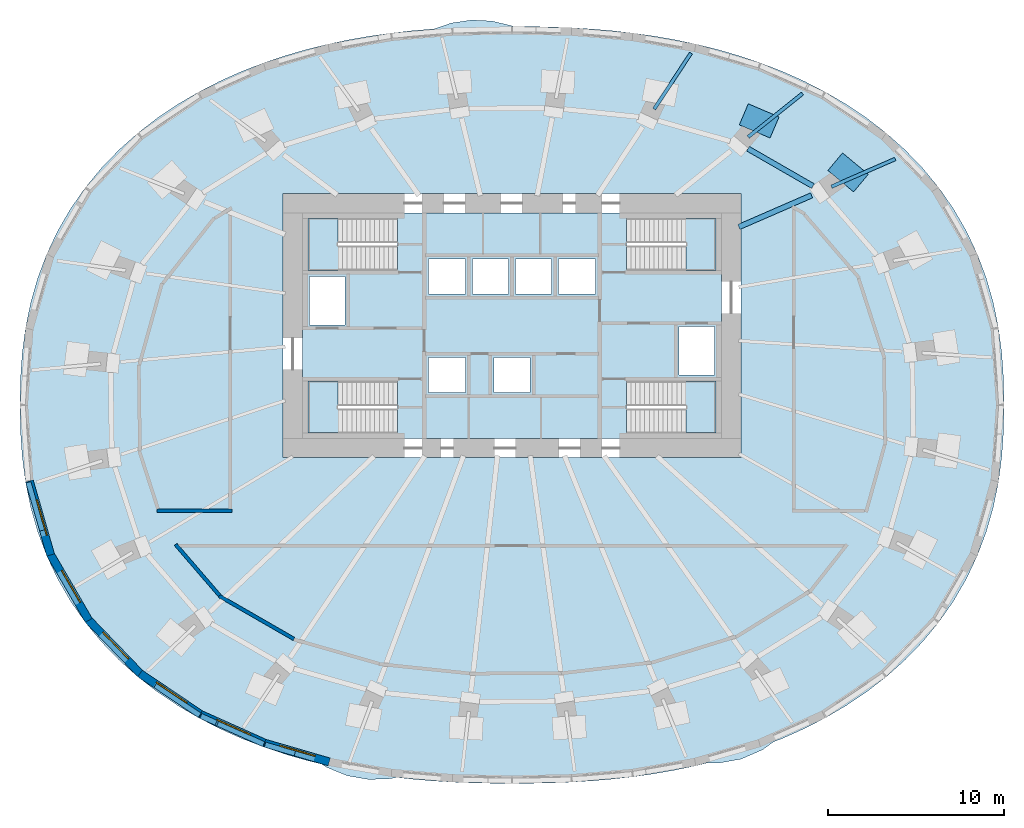
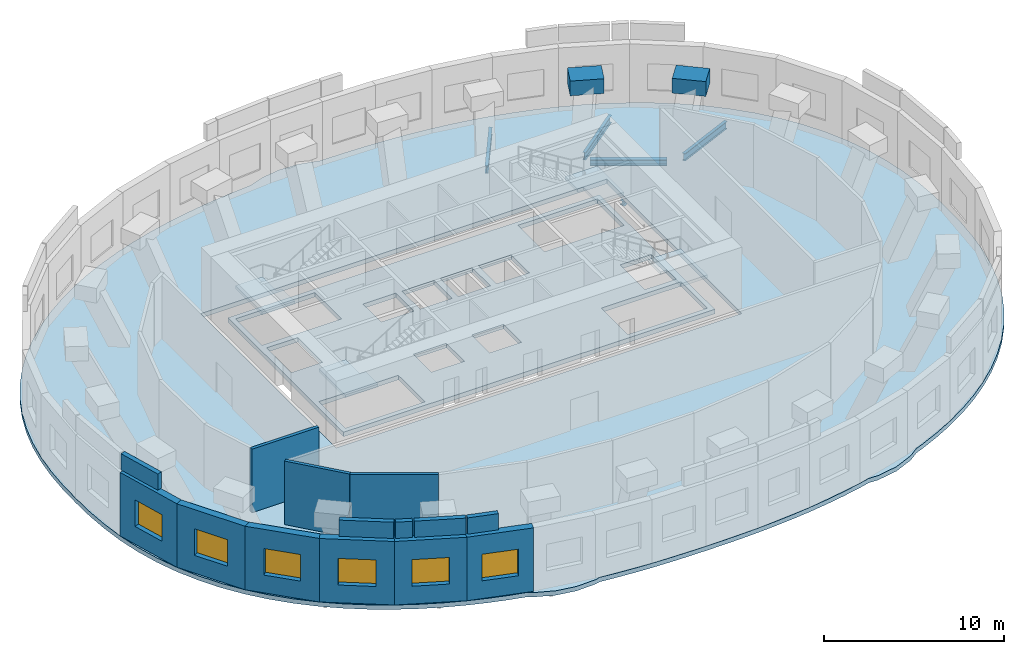
# One storey, part 3 of 9: 14 walls, 7 beams, 6 slabs, 6 windows, 6 openings, 4 elements without a shape of their own.
"""IFC4 building model written with IfcOpenShell, lengths in metres."""

import ifcopenshell
import ifcopenshell.guid

model = None  # the IFC model being written
_history = None  # IfcOwnerHistory: only IFC2X3 demands one
_inside = {}  # id of a spatial element -> (the spatial element, [elements in it])
_under = {}  # id of a project, library or spatial element -> (it, [spatial elements below it])
_declared = {}  # id of a project -> (the project, [libraries it declares])
_typed = {}  # id of a type object -> (the type object, [elements of that type])
_made_of = {}  # id of a material, layer set ... -> (it, [elements and type objects made of it])


def new_model(schema):
    """Start an empty IFC model of exactly this schema.

    Asked for "IFC4X3", IfcOpenShell would pick the latest addendum, in which some entities
    have other attributes; the version numbers below select the first issue.
    IFC2X3 requires an IfcOwnerHistory on every rooted entity: one is made here for all.
    """
    global model, _history
    if schema == "IFC4X3":
        model = ifcopenshell.file(schema_version=(4, 3, 0, 0))
    else:
        model = ifcopenshell.file(schema=schema)
    _inside.clear()
    _under.clear()
    _declared.clear()
    _typed.clear()
    _made_of.clear()
    _history = None
    if model.schema == "IFC2X3":
        org = make("IfcOrganization", Name="unknown")
        user = make(
            "IfcPersonAndOrganization",
            ThePerson=make("IfcPerson", FamilyName="unknown"),
            TheOrganization=org,
        )
        app = make(
            "IfcApplication",
            ApplicationDeveloper=org,
            Version="unknown",
            ApplicationFullName="unknown",
            ApplicationIdentifier="unknown",
        )
        _history = make(
            "IfcOwnerHistory",
            OwningUser=user,
            OwningApplication=app,
            ChangeAction="ADDED",
            CreationDate=0,
        )
    return model


def make(cls, **values):
    """One entity of the class cls with the attributes given. An attribute that is None is left unset."""
    return model.create_entity(
        cls, **{name: value for name, value in values.items() if value is not None}
    )


def rooted(cls, **values):
    """An entity with a GlobalId (a new one), such as an element, a storey or a relation."""
    return make(cls, GlobalId=ifcopenshell.guid.new(), OwnerHistory=_history, **values)


def si_unit(unit_type, name, prefix=None):
    """IfcSIUnit, for example si_unit("LENGTHUNIT", "METRE", prefix="MILLI")."""
    return make("IfcSIUnit", UnitType=unit_type, Prefix=prefix, Name=name)


def assignment(units):
    """IfcUnitAssignment: the units of a project."""
    return None if units is None else make("IfcUnitAssignment", Units=units)


def point(xyz):
    """IfcCartesianPoint."""
    return None if xyz is None else make("IfcCartesianPoint", Coordinates=xyz)


def direction(xyz):
    """IfcDirection."""
    return None if xyz is None else make("IfcDirection", DirectionRatios=xyz)


def frame(location, z_axis=None, x_axis=None):
    """IfcAxis2Placement3D, a coordinate frame: its origin and axes. An axis left out is left unset."""
    return make(
        "IfcAxis2Placement3D",
        Location=point(location),
        Axis=direction(z_axis),
        RefDirection=direction(x_axis),
    )


def frame_2d(location, x_axis=None):
    """IfcAxis2Placement2D, a coordinate frame in the plane: its origin and x axis."""
    return make(
        "IfcAxis2Placement2D", Location=point(location), RefDirection=direction(x_axis)
    )


def origin():
    """The frame at (0, 0, 0) with its axes left unset."""
    return frame((0.0, 0.0, 0.0))


def origin_2d():
    """The frame at (0, 0) in the plane with its x axis left unset."""
    return frame_2d((0.0, 0.0))


def place(relative_to, where):
    """IfcLocalPlacement: puts the frame where relative to a parent placement (None: the world)."""
    return make(
        "IfcLocalPlacement", PlacementRelTo=relative_to, RelativePlacement=where
    )


def context(
    kind, dimensions, precision=None, world=None, true_north=None, identifier=None
):
    """IfcGeometricRepresentationContext, for example the 3D "Model" context."""
    return make(
        "IfcGeometricRepresentationContext",
        ContextIdentifier=identifier,
        ContextType=kind,
        CoordinateSpaceDimension=dimensions,
        Precision=precision,
        WorldCoordinateSystem=world,
        TrueNorth=true_north,
    )


def subcontext(parent, identifier, kind, view, scale=None):
    """IfcGeometricRepresentationSubContext, for example "Body" below "Model"."""
    return make(
        "IfcGeometricRepresentationSubContext",
        ContextIdentifier=identifier,
        ContextType=kind,
        ParentContext=parent,
        TargetScale=scale,
        TargetView=view,
    )


def project(units=None, contexts=None):
    """IfcProject with its units and contexts."""
    return rooted(
        "IfcProject",
        Name="project",
        RepresentationContexts=contexts,
        UnitsInContext=assignment(units),
    )


def spatial(cls, under=None, at=None, **own):
    """A site, building, storey or space (cls), placed at a placement, below another one or the project."""
    s = rooted(cls, ObjectPlacement=at, **own)
    if under is not None:
        _under.setdefault(under.id(), (under, []))[1].append(s)
    return s


def polyline(points):
    """IfcPolyline through the points."""
    return make("IfcPolyline", Points=[point(p) for p in points])


def profile(cls, at=None, kind="AREA", **sizes):
    """A parametric profile (cls). Its sizes go by their IFC names, for example OverallWidth=200.0."""
    return make(cls, ProfileType=kind, Position=at, **sizes)


def rectangle(**sizes):
    """IfcRectangleProfileDef."""
    return profile("IfcRectangleProfileDef", **sizes)


def i_section(**sizes):
    """IfcIShapeProfileDef."""
    return profile("IfcIShapeProfileDef", **sizes)


def outline(outer, holes=None, kind="AREA"):
    """IfcArbitraryClosedProfileDef: a profile drawn as a closed curve; with holes, ...WithVoids."""
    if holes is None:
        return make("IfcArbitraryClosedProfileDef", ProfileType=kind, OuterCurve=outer)
    return make(
        "IfcArbitraryProfileDefWithVoids",
        ProfileType=kind,
        OuterCurve=outer,
        InnerCurves=holes,
    )


def extrude(swept, where, along, depth):
    """IfcExtrudedAreaSolid: the profile swept, set in the frame where, extruded along a direction by depth."""
    return make(
        "IfcExtrudedAreaSolid",
        SweptArea=swept,
        Position=where,
        ExtrudedDirection=direction(along),
        Depth=depth,
    )


def shape(context_of_items, identifier, shape_type, items):
    """IfcShapeRepresentation: the items that make up one representation, for example the "Body"."""
    return make(
        "IfcShapeRepresentation",
        ContextOfItems=context_of_items,
        RepresentationIdentifier=identifier,
        RepresentationType=shape_type,
        Items=items,
    )


def material(Name=None, Category=None):
    """IfcMaterial."""
    return make("IfcMaterial", Name=Name, Category=Category)


def layer(
    of_material, thickness, ventilated=None, Name=None, Category=None, Priority=None
):
    """IfcMaterialLayer: one layer of a wall or slab, of a material (None: an air gap)."""
    return make(
        "IfcMaterialLayer",
        Material=of_material,
        LayerThickness=thickness,
        IsVentilated=ventilated,
        Name=Name,
        Category=Category,
        Priority=Priority,
    )


def layer_set(layers, Name=None):
    """IfcMaterialLayerSet."""
    return make("IfcMaterialLayerSet", MaterialLayers=layers, LayerSetName=Name)


def material_profile(
    of_material, cross_section, Name=None, Category=None, Priority=None
):
    """IfcMaterialProfile: a cross section and its material."""
    return make(
        "IfcMaterialProfile",
        Name=Name,
        Material=of_material,
        Profile=cross_section,
        Priority=Priority,
        Category=Category,
    )


def profile_set(profiles, Name=None, composite=None):
    """IfcMaterialProfileSet."""
    return make(
        "IfcMaterialProfileSet",
        Name=Name,
        MaterialProfiles=profiles,
        CompositeProfile=composite,
    )


def made_of(thing, what):
    """Note that an element or type object is made of a material, layer set ...; save() writes the relation."""
    if what is not None:
        _made_of.setdefault(what.id(), (what, []))[1].append(thing)
    return thing


def type_object(cls, material=None, **own):
    """A type object (cls), such as IfcWallType, which elements share."""
    return made_of(rooted(cls, **own), material)


def element(
    cls,
    number,
    at=None,
    inside=None,
    cuts=None,
    type_object=None,
    material=None,
    context=None,
    identifier="Body",
    shape_type=None,
    held_by="IfcProductDefinitionShape",
    body=None,
    shapes=None,
    **own,
):
    """One element of the class cls, such as IfcWall. Its Tag is "e" and its number.

    at: its placement. inside: the storey or other place that contains it. cuts: it is an
    opening in that element (IfcRelVoidsElement). A single representation is given by context,
    identifier, shape_type and body (its items); several are given by shapes. held_by: the class
    of the entity that holds the representations. save() writes the other relations.
    """
    e = rooted(cls, Tag="e%d" % number, ObjectPlacement=at, **own)
    if body is not None:
        shapes = [shape(context, identifier, shape_type, body)]
    if shapes is not None:
        e.Representation = make(held_by, Representations=shapes)
    if inside is not None:
        _inside.setdefault(inside.id(), (inside, []))[1].append(e)
    if cuts is not None:
        rooted(
            "IfcRelVoidsElement", RelatingBuildingElement=cuts, RelatedOpeningElement=e
        )
    if type_object is not None:
        _typed.setdefault(type_object.id(), (type_object, []))[1].append(e)
    return made_of(e, material)


def fill(opening, filler):
    """IfcRelFillsElement: the door or window that sits in an opening."""
    return rooted(
        "IfcRelFillsElement",
        RelatingOpeningElement=opening,
        RelatedBuildingElement=filler,
    )


def aggregate(whole, parts):
    """IfcRelAggregates: a whole, such as a stair, and the parts it consists of."""
    return rooted("IfcRelAggregates", RelatingObject=whole, RelatedObjects=parts)


def save(model, path):
    """Write the relations noted so far, then the file.

    IfcRelAggregates (storeys below a building ...), IfcRelContainedInSpatialStructure (elements
    in a storey), IfcRelDefinesByType, IfcRelAssociatesMaterial and IfcRelDeclares: one each for
    every whole, place, type object, material and project.
    """
    for whole, parts in _under.values():
        aggregate(whole, parts)
    for where, things in _inside.values():
        rooted(
            "IfcRelContainedInSpatialStructure",
            RelatedElements=things,
            RelatingStructure=where,
        )
    for kind, things in _typed.values():
        rooted("IfcRelDefinesByType", RelatedObjects=things, RelatingType=kind)
    for what, things in _made_of.values():
        rooted("IfcRelAssociatesMaterial", RelatedObjects=things, RelatingMaterial=what)
    for by, libraries in _declared.values():
        rooted("IfcRelDeclares", RelatingContext=by, RelatedDefinitions=libraries)
    model.write(path)


model = new_model("IFC4")

# Units and contexts
model_context = context("Model", 3, precision=1e-05, world=origin(), true_north=direction((0.0, 1.0)))
body_context = subcontext(model_context, "Body", "Model", "MODEL_VIEW")
ifc_project = project(units=[si_unit("LENGTHUNIT", "METRE"), si_unit("AREAUNIT", "SQUARE_METRE"), si_unit("VOLUMEUNIT", "CUBIC_METRE"), si_unit("PLANEANGLEUNIT", "RADIAN"), si_unit("MASSUNIT", "GRAM", prefix="KILO")], contexts=[model_context])

# Site, building, storey
site_placement = place(None, origin())
site = spatial("IfcSite", under=ifc_project, at=site_placement, CompositionType="ELEMENT")
building_placement = place(site_placement, origin())
building = spatial("IfcBuilding", under=site, at=building_placement, Name="Rubra Terraces Tower", CompositionType="ELEMENT")
storey_placement = place(building_placement, frame((0.0, 0.0, 169.5)))
storey = spatial("IfcBuildingStorey", under=building, at=storey_placement, Name="L41", CompositionType="ELEMENT", Elevation=169.5)

# Beams
ifc_material_1 = material(Name="Steel Q355B", Category="steel")
ifc_material_profile_1 = material_profile(ifc_material_1, i_section(OverallWidth=0.198974609375, OverallDepth=0.49609375, WebThickness=0.009033203125, FlangeThickness=0.013916015625, at=origin_2d()), Name="HN 496x199x9x14")
ifc_profile_set_1 = profile_set([ifc_material_profile_1], Name="Steel Q355B")
beam_type_1 = type_object("IfcBeamType", Name="CANTILEVER BEAM HN 496x199x9x14", PredefinedType="BEAM", material=ifc_profile_set_1)
beam_1_placement = place(storey_placement, frame((18.14990234375, 12.39697265625, -0.548095703125), z_axis=(0.916966850316, 0.398963401105, 0.0), x_axis=(-0.398963401105, 0.916966850316, 0.0)))
element("IfcBeam", 1, at=beam_1_placement, inside=storey, type_object=beam_type_1, Name="beam-L41-cant-03", PredefinedType="BEAM", context=body_context, shape_type="SweptSolid", body=[
    extrude(i_section(OverallWidth=0.198974609375, OverallDepth=0.49609375, WebThickness=0.009033203125, FlangeThickness=0.013916015625, at=origin_2d()), origin(), (0.0, 0.0, 1.0), 3.949951171875),
])
beam_2_placement = place(storey_placement, frame((13.416015625, 15.222900390625, -0.548095703125), z_axis=(0.781103955528, 0.624401001487, 0.0), x_axis=(-0.624401001487, 0.781103955528, 0.0)))
element("IfcBeam", 2, at=beam_2_placement, inside=storey, type_object=beam_type_1, Name="beam-L41-cant-04", PredefinedType="BEAM", context=body_context, shape_type="SweptSolid", body=[
    extrude(i_section(OverallWidth=0.198974609375, OverallDepth=0.49609375, WebThickness=0.009033203125, FlangeThickness=0.013916015625, at=origin_2d()), origin(), (0.0, 0.0, 1.0), 3.949462890625),
])
beam_3_placement = place(storey_placement, frame((8.076904296875, 16.803955078125, -0.548095703125), z_axis=(0.548896125627, 0.835890568957, 0.0), x_axis=(-0.835890568957, 0.548896125627, 0.0)))
element("IfcBeam", 3, at=beam_3_placement, inside=storey, type_object=beam_type_1, Name="beam-L41-cant-05", PredefinedType="BEAM", context=body_context, shape_type="SweptSolid", body=[
    extrude(i_section(OverallWidth=0.198974609375, OverallDepth=0.49609375, WebThickness=0.009033203125, FlangeThickness=0.013916015625, at=origin_2d()), origin(), (0.0, 0.0, 1.0), 3.80419921875),
])
ifc_material_profile_2 = material_profile(ifc_material_1, i_section(OverallWidth=0.304931640625, OverallDepth=0.300048828125, WebThickness=0.014892578125, FlangeThickness=0.014892578125, at=origin_2d()), Name="HW 300x305x15x15")
ifc_profile_set_2 = profile_set([ifc_material_profile_2], Name="Steel Q355B")
beam_type_2 = type_object("IfcBeamType", Name="FLOOR BEAM HW 300x305x15x15", PredefinedType="BEAM", material=ifc_profile_set_2)
beam_4_placement = place(storey_placement, frame((17.01806640625, 11.905029296875, -0.449951171875), z_axis=(-0.916965704309, -0.398966035047, 0.0), x_axis=(0.398966035047, -0.916965704309, 0.0)))
element("IfcBeam", 4, at=beam_4_placement, inside=storey, type_object=beam_type_2, Name="beam-L41-floor-03", PredefinedType="BEAM", context=body_context, shape_type="SweptSolid", body=[
    extrude(i_section(OverallWidth=0.304931640625, OverallDepth=0.300048828125, WebThickness=0.014892578125, FlangeThickness=0.014892578125, at=origin_2d()), origin(), (0.0, 0.0, 1.0), 4.501953125),
])
ifc_material_profile_3 = material_profile(ifc_material_1, i_section(OverallWidth=0.300048828125, OverallDepth=0.389892578125, WebThickness=0.010009765625, FlangeThickness=0.01611328125, at=origin_2d()), Name="HM 390x300x10x16")
ifc_profile_set_3 = profile_set([ifc_material_profile_3], Name="Steel Q355B")
beam_type_3 = type_object("IfcBeamType", Name="SPANDREL BEAM HM 390x300x10x16", PredefinedType="SPANDREL", material=ifc_profile_set_3)
beam_5_placement = place(storey_placement, frame((17.10009765625, 12.428955078125, -0.4951171875), z_axis=(-0.866560147027, 0.49907265161, 0.0), x_axis=(-0.49907265161, -0.866560147027, 0.0)))
element("IfcBeam", 5, at=beam_5_placement, inside=storey, type_object=beam_type_3, Name="beam-L41-spandrel-03", PredefinedType="SPANDREL", context=body_context, shape_type="SweptSolid", body=[
    extrude(i_section(OverallWidth=0.300048828125, OverallDepth=0.389892578125, WebThickness=0.010009765625, FlangeThickness=0.01611328125, at=origin_2d()), origin(), (0.0, 0.0, 1.0), 4.26171875),
])
ifc_material_2 = material(Name="Concrete C50", Category="concrete")
ifc_material_profile_4 = material_profile(ifc_material_2, rectangle(XDim=1.300048828125, YDim=1.0, at=origin_2d()), Name="RC 1300x1000")
ifc_profile_set_4 = profile_set([ifc_material_profile_4], Name="Concrete C50")
beam_type_4 = type_object("IfcBeamType", Name="TRANSFER NODE RC 1300x1000 C50", PredefinedType="BEAM", material=ifc_profile_set_4)
beam_6_placement = place(storey_placement, frame((19.822021484375, 12.60205078125, 3.800048828125), z_axis=(-0.768937500711, 0.639323955441, 0.0), x_axis=(-0.639323955441, -0.768937500711, 0.0)))
element("IfcBeam", 6, at=beam_6_placement, inside=storey, type_object=beam_type_4, Name="node-L41-hi-03", PredefinedType="BEAM", context=body_context, shape_type="SweptSolid", body=[
    extrude(rectangle(XDim=1.300048828125, YDim=1.0, at=origin_2d()), origin(), (0.0, 0.0, 1.0), 1.898681640625),
])
beam_7_placement = place(storey_placement, frame((14.916015625, 15.763916015625, 3.800048828125), z_axis=(-0.920099461233, 0.391684798581, 0.0), x_axis=(-0.391684798581, -0.920099461233, 0.0)))
element("IfcBeam", 7, at=beam_7_placement, inside=storey, type_object=beam_type_4, Name="node-L41-hi-04", PredefinedType="BEAM", context=body_context, shape_type="SweptSolid", body=[
    extrude(rectangle(XDim=1.300048828125, YDim=1.0, at=origin_2d()), origin(), (0.0, 0.0, 1.0), 1.89990234375),
])

# Slab
ifc_material_3 = material(Name="Concrete C40", Category="concrete")
ifc_layer_1 = layer(ifc_material_3, 0.300048828125)
ifc_layer_set_1 = layer_set([ifc_layer_1], Name="Concrete C40")
slab_type_1 = type_object("IfcSlabType", Name="Core floor slab 300 concrete", PredefinedType="FLOOR", material=ifc_layer_set_1)
slab_1_placement = place(storey_placement, frame((0.0, 0.0, -0.300048828125)))
element("IfcSlab", 8, at=slab_1_placement, inside=storey, type_object=slab_type_1, Name="CORE FLOOR SLAB L41", PredefinedType="FLOOR", context=body_context, shape_type="SweptSolid", body=[
    extrude(outline(polyline([(-11.89990234375, -1.89990234375), (-11.89990234375, 10.89990234375), (11.89990234375, 10.89990234375), (11.89990234375, -1.89990234375), (-11.89990234375, -1.89990234375)]), holes=[polyline([(11.597900390625, 1.347900390625), (6.501953125, 1.347900390625), (6.501953125, -1.597900390625), (11.597900390625, -1.597900390625), (11.597900390625, 1.347900390625)]), polyline([(11.597900390625, 7.652099609375), (11.597900390625, 10.597900390625), (6.501953125, 10.597900390625), (6.501953125, 7.652099609375), (11.597900390625, 7.652099609375)]), polyline([(9.5, 1.699951171875), (11.5, 1.699951171875), (11.5, 4.449951171875), (9.5, 4.449951171875), (9.5, 1.699951171875)]), polyline([(4.75, 6.300048828125), (4.75, 8.300048828125), (2.64990234375, 8.300048828125), (2.64990234375, 6.300048828125), (4.75, 6.300048828125)]), polyline([(2.25, 8.300048828125), (0.199951171875, 8.300048828125), (0.199951171875, 6.300048828125), (2.25, 6.300048828125), (2.25, 8.300048828125)]), polyline([(1.02490234375, 0.699951171875), (1.02490234375, 2.699951171875), (-1.02490234375, 2.699951171875), (-1.02490234375, 0.699951171875), (1.02490234375, 0.699951171875)]), polyline([(-0.199951171875, 6.300048828125), (-0.199951171875, 8.300048828125), (-2.25, 8.300048828125), (-2.25, 6.300048828125), (-0.199951171875, 6.300048828125)]), polyline([(-4.75, 8.300048828125), (-4.75, 6.300048828125), (-2.64990234375, 6.300048828125), (-2.64990234375, 8.300048828125), (-4.75, 8.300048828125)]), polyline([(-2.64990234375, 0.699951171875), (-2.64990234375, 2.699951171875), (-4.75, 2.699951171875), (-4.75, 0.699951171875), (-2.64990234375, 0.699951171875)]), polyline([(-11.597900390625, -1.597900390625), (-6.501953125, -1.597900390625), (-6.501953125, 1.347900390625), (-11.597900390625, 1.347900390625), (-11.597900390625, -1.597900390625)]), polyline([(-11.597900390625, 10.597900390625), (-11.597900390625, 7.652099609375), (-6.501953125, 7.652099609375), (-6.501953125, 10.597900390625), (-11.597900390625, 10.597900390625)]), polyline([(-9.5, 4.550048828125), (-9.5, 7.300048828125), (-11.5, 7.300048828125), (-11.5, 4.550048828125), (-9.5, 4.550048828125)])]), origin(), (0.0, 0.0, 1.0), 0.300048828125),
])

# Stair, slab
stair_type = type_object("IfcStairType", Name="Core stair 1400", PredefinedType="HALF_TURN_STAIR", material=ifc_material_3)
stair_1_placement = place(storey_placement, origin())
stair_1 = element("IfcStair", 9, at=stair_1_placement, inside=storey, type_object=stair_type, Name="L41 Exit stair S1", PredefinedType="HALF_TURN_STAIR")
ifc_layer_2 = layer(ifc_material_3, 0.199951171875)
ifc_layer_set_2 = layer_set([ifc_layer_2], Name="Concrete C40")
slab_type_2 = type_object("IfcSlabType", Name="Core stair landing 200", PredefinedType="LANDING", material=ifc_layer_set_2)
slab_2_placement = place(storey_placement, frame((0.0, 0.0, 2.050048828125)))
slab_2 = element("IfcSlab", 10, at=slab_2_placement, type_object=slab_type_2, Name="S1 landing 1", PredefinedType="LANDING", context=body_context, shape_type="SweptSolid", body=[
    extrude(outline(polyline([(-9.5, -0.199951171875), (-9.5, -1.60009765625), (-9.8798828125, -1.60009765625), (-9.89990234375, -1.60009765625), (-11.60009765625, -1.60009765625), (-11.60009765625, 1.35009765625), (-9.89990234375, 1.35009765625), (-9.8779296875, 1.35009765625), (-9.8779296875, -0.050048828125), (-9.8798828125, -0.050048828125), (-9.8798828125, -0.199951171875), (-9.5, -0.199951171875)])), origin(), (0.0, 0.0, 1.0), 0.199951171875),
])
aggregate(stair_1, [slab_2])

stair_2_placement = place(storey_placement, origin())
stair_2 = element("IfcStair", 11, at=stair_2_placement, inside=storey, type_object=stair_type, Name="L41 Exit stair S2", PredefinedType="HALF_TURN_STAIR")
slab_3_placement = place(storey_placement, frame((0.0, 0.0, 2.050048828125)))
slab_3 = element("IfcSlab", 12, at=slab_3_placement, type_object=slab_type_2, Name="S2 landing 1", PredefinedType="LANDING", context=body_context, shape_type="SweptSolid", body=[
    extrude(outline(polyline([(-9.5, 9.050048828125), (-9.5, 7.64990234375), (-9.89990234375, 7.64990234375), (-11.60009765625, 7.64990234375), (-11.60009765625, 10.60009765625), (-9.89990234375, 10.60009765625), (-9.8798828125, 10.60009765625), (-9.8779296875, 10.60009765625), (-9.8779296875, 9.199951171875), (-9.8798828125, 9.199951171875), (-9.8798828125, 9.050048828125), (-9.5, 9.050048828125)])), origin(), (0.0, 0.0, 1.0), 0.199951171875),
])
aggregate(stair_2, [slab_3])

stair_3_placement = place(storey_placement, origin())
stair_3 = element("IfcStair", 13, at=stair_3_placement, inside=storey, type_object=stair_type, Name="L41 Exit stair S3", PredefinedType="HALF_TURN_STAIR")
slab_4_placement = place(storey_placement, frame((0.0, 0.0, 2.050048828125)))
slab_4 = element("IfcSlab", 14, at=slab_4_placement, type_object=slab_type_2, Name="S3 landing 1", PredefinedType="LANDING", context=body_context, shape_type="SweptSolid", body=[
    extrude(outline(polyline([(9.8798828125, 9.050048828125), (9.8798828125, 9.199951171875), (9.5, 9.199951171875), (9.5, 10.60009765625), (9.8798828125, 10.60009765625), (9.89990234375, 10.60009765625), (11.60009765625, 10.60009765625), (11.60009765625, 7.64990234375), (9.89990234375, 7.64990234375), (9.8779296875, 7.64990234375), (9.8779296875, 9.050048828125), (9.8798828125, 9.050048828125)])), origin(), (0.0, 0.0, 1.0), 0.199951171875),
])
aggregate(stair_3, [slab_4])

stair_4_placement = place(storey_placement, origin())
stair_4 = element("IfcStair", 15, at=stair_4_placement, inside=storey, type_object=stair_type, Name="L41 Exit stair S4", PredefinedType="HALF_TURN_STAIR")
slab_5_placement = place(storey_placement, frame((0.0, 0.0, 2.050048828125)))
slab_5 = element("IfcSlab", 16, at=slab_5_placement, type_object=slab_type_2, Name="S4 landing 1", PredefinedType="LANDING", context=body_context, shape_type="SweptSolid", body=[
    extrude(outline(polyline([(9.8798828125, -0.199951171875), (9.8798828125, -0.050048828125), (9.5, -0.050048828125), (9.5, 1.35009765625), (9.8798828125, 1.35009765625), (9.89990234375, 1.35009765625), (11.60009765625, 1.35009765625), (11.60009765625, -1.60009765625), (9.89990234375, -1.60009765625), (9.8798828125, -1.60009765625), (9.8779296875, -1.60009765625), (9.8779296875, -0.199951171875), (9.8798828125, -0.199951171875)])), origin(), (0.0, 0.0, 1.0), 0.199951171875),
])
aggregate(stair_4, [slab_5])

# Slab
ifc_layer_3 = layer(ifc_material_3, 0.300048828125)
ifc_layer_set_3 = layer_set([ifc_layer_3], Name="Concrete C40")
slab_type_3 = type_object("IfcSlabType", Name="FLOOR SLAB 300 COMPOSITE", PredefinedType="FLOOR", material=ifc_layer_set_3)
slab_6_placement = place(storey_placement, frame((0.0, 0.0, -0.300048828125)))
element("IfcSlab", 17, at=slab_6_placement, inside=storey, type_object=slab_type_3, Name="FLOOR SLAB L41", PredefinedType="FLOOR", context=body_context, shape_type="SweptSolid", body=[
    extrude(outline(polyline([(-6.89892578125, -21.23291015625), (-6.568115234375, -21.158935546875), (-5.7099609375, -21.256103515625), (-4.552978515625, -21.35498046875), (-3.39404296875, -21.427001953125), (-2.262939453125, -21.470947265625), (-1.132080078125, -21.493896484375), (0.0, -21.5), (1.132080078125, -21.493896484375), (2.262939453125, -21.470947265625), (3.39404296875, -21.427001953125), (4.552978515625, -21.35498046875), (5.7099609375, -21.256103515625), (6.864013671875, -21.1259765625), (8.06396484375, -20.955078125), (9.258056640625, -20.7470703125), (10.444091796875, -20.498046875), (11.116943359375, -20.3310546875), (11.705078125, -20.35302734375), (13.013916015625, -20.12109375), (14.23388671875, -19.591064453125), (14.85400390625, -19.14306640625), (14.115966796875, -19.428955078125), (15.365966796875, -18.944091796875), (16.591064453125, -18.39599609375), (17.784912109375, -17.784912109375), (18.990966796875, -17.077880859375), (20.15087890625, -16.298095703125), (21.256103515625, -15.444091796875), (22.327880859375, -14.489013671875), (23.324951171875, -13.45703125), (24.239013671875, -12.35009765625), (25.071044921875, -11.157958984375), (25.802001953125, -9.89990234375), (26.425048828125, -8.5859375), (26.93994140625, -7.217041015625), (27.342041015625, -5.81005859375), (27.635009765625, -4.376953125), (27.825927734375, -2.925048828125), (27.925048828125, -1.464111328125), (27.949951171875, 0.0), (27.925048828125, 1.464111328125), (27.825927734375, 2.925048828125), (27.635009765625, 4.376953125), (27.342041015625, 5.81005859375), (26.93994140625, 7.217041015625), (26.425048828125, 8.5859375), (25.802001953125, 9.89990234375), (25.071044921875, 11.157958984375), (24.239013671875, 12.35009765625), (23.324951171875, 13.45703125), (22.327880859375, 14.489013671875), (21.256103515625, 15.444091796875), (20.15087890625, 16.298095703125), (18.990966796875, 17.077880859375), (17.784912109375, 17.784912109375), (16.591064453125, 18.39599609375), (15.365966796875, 18.944091796875), (14.115966796875, 19.428955078125), (12.906982421875, 19.8359375), (11.681884765625, 20.19091796875), (10.444091796875, 20.498046875), (9.258056640625, 20.7470703125), (8.06396484375, 20.955078125), (6.864013671875, 21.1259765625), (5.7099609375, 21.256103515625), (4.552978515625, 21.35498046875), (3.39404296875, 21.427001953125), (2.262939453125, 21.470947265625), (1.132080078125, 21.493896484375), (0.094970703125, 21.4990234375), (0.0, 21.537109375), (-1.136962890625, 21.80908203125), (-2.2880859375, 21.867919921875), (-3.43701171875, 21.697998046875), (-4.43603515625, 21.362060546875), (-4.552978515625, 21.35498046875), (-5.7099609375, 21.256103515625), (-6.864013671875, 21.1259765625), (-8.06396484375, 20.955078125), (-9.258056640625, 20.7470703125), (-10.444091796875, 20.498046875), (-11.681884765625, 20.19091796875), (-12.906982421875, 19.8359375), (-14.115966796875, 19.428955078125), (-15.365966796875, 18.944091796875), (-16.591064453125, 18.39599609375), (-17.784912109375, 17.784912109375), (-18.990966796875, 17.077880859375), (-20.15087890625, 16.298095703125), (-21.256103515625, 15.444091796875), (-22.327880859375, 14.489013671875), (-23.324951171875, 13.45703125), (-24.239013671875, 12.35009765625), (-25.071044921875, 11.157958984375), (-25.802001953125, 9.89990234375), (-26.425048828125, 8.5859375), (-26.93994140625, 7.217041015625), (-27.342041015625, 5.81005859375), (-27.635009765625, 4.376953125), (-27.825927734375, 2.925048828125), (-27.925048828125, 1.464111328125), (-27.949951171875, 0.0), (-27.925048828125, -1.464111328125), (-27.825927734375, -2.925048828125), (-27.635009765625, -4.376953125), (-27.342041015625, -5.81005859375), (-26.93994140625, -7.217041015625), (-26.425048828125, -8.5859375), (-25.802001953125, -9.89990234375), (-25.071044921875, -11.157958984375), (-24.239013671875, -12.35009765625), (-23.324951171875, -13.45703125), (-22.327880859375, -14.489013671875), (-21.256103515625, -15.444091796875), (-20.15087890625, -16.298095703125), (-18.990966796875, -17.077880859375), (-17.784912109375, -17.784912109375), (-16.591064453125, -18.39599609375), (-15.365966796875, -18.944091796875), (-14.115966796875, -19.428955078125), (-12.906982421875, -19.8359375), (-11.681884765625, -20.19091796875), (-10.802001953125, -20.408935546875), (-10.498046875, -20.60302734375), (-9.344970703125, -21.069091796875), (-8.137939453125, -21.279052734375), (-6.89892578125, -21.23291015625)]), holes=[polyline([(13.0, 12.0), (13.0, -3.0), (-13.0, -3.0), (-13.0, 12.0), (13.0, 12.0)])]), origin(), (0.0, 0.0, 1.0), 0.300048828125),
])

# Wall, opening, window
ifc_material_4 = material(Name="Brick masonry red-brown", Category="masonry")
ifc_layer_4 = layer(ifc_material_4, 0.449951171875)
ifc_layer_set_4 = layer_set([ifc_layer_4], Name="Brick masonry red-brown")
wall_type_1 = type_object("IfcWallType", Name="Brick facade wall 450", PredefinedType="SOLIDWALL", material=ifc_layer_set_4)
wall_1_placement = place(storey_placement, frame((-27.418701171875, -4.314697265625, 0.0), z_axis=(0.0, 0.0, 1.0), x_axis=(0.276281679347, -0.961076705397, 0.0)))
wall_1 = element("IfcWall", 18, at=wall_1_placement, inside=storey, type_object=wall_type_1, Name="Facade wall L41 bay 22", PredefinedType="SOLIDWALL", context=body_context, shape_type="SweptSolid", body=[
    extrude(rectangle(XDim=4.37939453125, YDim=0.449951171875, at=frame_2d((2.189697265625, 0.0))), origin(), (0.0, 0.0, 1.0), 4.300048828125),
])
opening_1_placement = place(wall_1_placement, frame((1.1396484375, 0.0, 1.199951171875)))
opening_1 = element("IfcOpeningElement", 19, at=opening_1_placement, cuts=wall_1, Name="Opening W4", PredefinedType="OPENING", context=body_context, shape_type="SweptSolid", body=[
    extrude(rectangle(XDim=2.10009765625, YDim=1.800048828125, at=frame_2d((1.050048828125, 0.89990234375))), frame((0.0, 0.23486328125, 0.0), z_axis=(0.0, -1.0, 0.0), x_axis=(1.0, 0.0, 0.0)), (0.0, 0.0, 1.0), 0.469970703125),
])
ifc_material_5 = material(Name="Clear glass in aluminium frame", Category="aluminium")
window_type = type_object("IfcWindowType", Name="Louvred plant window 2100 x 1800", PartitioningType="SINGLE_PANEL", PredefinedType="WINDOW", material=ifc_material_5)
window_1_placement = place(opening_1_placement, origin())
window_1 = element("IfcWindow", 20, at=window_1_placement, inside=storey, type_object=window_type, Name="Window L41 bay 22", OverallHeight=1.800048828125, OverallWidth=2.10009765625, PartitioningType="SINGLE_PANEL", PredefinedType="WINDOW", context=body_context, shape_type="SweptSolid", body=[
    extrude(rectangle(XDim=2.10009765625, YDim=1.800048828125, at=frame_2d((1.050048828125, 0.89990234375))), frame((0.0, 0.135009765625, 0.0), z_axis=(0.0, -1.0, 0.0), x_axis=(1.0, 0.0, 0.0)), (0.0, 0.0, 1.0), 0.06005859375),
])
fill(opening_1, window_1)

wall_2_placement = place(storey_placement, frame((-26.23046875, -8.472900390625, 0.0), z_axis=(0.0, 0.0, 1.0), x_axis=(0.502203169453, -0.864749661227, 0.0)))
wall_2 = element("IfcWall", 21, at=wall_2_placement, inside=storey, type_object=wall_type_1, Name="Facade wall L41 bay 23", PredefinedType="SOLIDWALL", context=body_context, shape_type="SweptSolid", body=[
    extrude(rectangle(XDim=4.352783203125, YDim=0.449951171875, at=frame_2d((2.17626953125, 0.0))), origin(), (0.0, 0.0, 1.0), 4.300048828125),
])
opening_2_placement = place(wall_2_placement, frame((1.12646484375, 0.0, 1.199951171875)))
opening_2 = element("IfcOpeningElement", 22, at=opening_2_placement, cuts=wall_2, Name="Opening W4", PredefinedType="OPENING", context=body_context, shape_type="SweptSolid", body=[
    extrude(rectangle(XDim=2.10009765625, YDim=1.800048828125, at=frame_2d((1.050048828125, 0.89990234375))), frame((0.0, 0.23486328125, 0.0), z_axis=(0.0, -1.0, 0.0), x_axis=(1.0, 0.0, 0.0)), (0.0, 0.0, 1.0), 0.469970703125),
])
window_2_placement = place(opening_2_placement, origin())
window_2 = element("IfcWindow", 23, at=window_2_placement, inside=storey, type_object=window_type, Name="Window L41 bay 23", OverallHeight=1.800048828125, OverallWidth=2.10009765625, PartitioningType="SINGLE_PANEL", PredefinedType="WINDOW", context=body_context, shape_type="SweptSolid", body=[
    extrude(rectangle(XDim=2.10009765625, YDim=1.800048828125, at=frame_2d((1.050048828125, 0.89990234375))), frame((0.0, 0.135009765625, 0.0), z_axis=(0.0, -1.0, 0.0), x_axis=(1.0, 0.0, 0.0)), (0.0, 0.0, 1.0), 0.06005859375),
])
fill(opening_2, window_2)

wall_3_placement = place(storey_placement, frame((-24.076904296875, -12.19384765625, 0.0), z_axis=(0.0, 0.0, 1.0), x_axis=(0.69406513137, -0.719912212298, 0.0)))
wall_3 = element("IfcWall", 24, at=wall_3_placement, inside=storey, type_object=wall_type_1, Name="Facade wall L41 bay 24", PredefinedType="SOLIDWALL", context=body_context, shape_type="SweptSolid", body=[
    extrude(rectangle(XDim=4.2978515625, YDim=0.449951171875, at=frame_2d((2.14892578125, 0.0))), origin(), (0.0, 0.0, 1.0), 4.300048828125),
])
opening_3_placement = place(wall_3_placement, frame((1.098876953125, 0.0, 1.199951171875)))
opening_3 = element("IfcOpeningElement", 25, at=opening_3_placement, cuts=wall_3, Name="Opening W4", PredefinedType="OPENING", context=body_context, shape_type="SweptSolid", body=[
    extrude(rectangle(XDim=2.10009765625, YDim=1.800048828125, at=frame_2d((1.050048828125, 0.89990234375))), frame((0.0, 0.23486328125, 0.0), z_axis=(0.0, -1.0, 0.0), x_axis=(1.0, 0.0, 0.0)), (0.0, 0.0, 1.0), 0.469970703125),
])
window_3_placement = place(opening_3_placement, origin())
window_3 = element("IfcWindow", 26, at=window_3_placement, inside=storey, type_object=window_type, Name="Window L41 bay 24", OverallHeight=1.800048828125, OverallWidth=2.10009765625, PartitioningType="SINGLE_PANEL", PredefinedType="WINDOW", context=body_context, shape_type="SweptSolid", body=[
    extrude(rectangle(XDim=2.10009765625, YDim=1.800048828125, at=frame_2d((1.050048828125, 0.89990234375))), frame((0.0, 0.135009765625, 0.0), z_axis=(0.0, -1.0, 0.0), x_axis=(1.0, 0.0, 0.0)), (0.0, 0.0, 1.0), 0.06005859375),
])
fill(opening_3, window_3)

wall_4_placement = place(storey_placement, frame((-21.130126953125, -15.257568359375, 0.0), z_axis=(0.0, 0.0, 1.0), x_axis=(0.829077786947, -0.559133278557, 0.0)))
wall_4 = element("IfcWall", 27, at=wall_4_placement, inside=storey, type_object=wall_type_1, Name="Facade wall L41 bay 25", PredefinedType="SOLIDWALL", context=body_context, shape_type="SweptSolid", body=[
    extrude(rectangle(XDim=4.1865234375, YDim=0.449951171875, at=frame_2d((2.09326171875, 0.0))), origin(), (0.0, 0.0, 1.0), 4.300048828125),
])
opening_4_placement = place(wall_4_placement, frame((1.043212890625, 0.0, 1.199951171875)))
opening_4 = element("IfcOpeningElement", 28, at=opening_4_placement, cuts=wall_4, Name="Opening W4", PredefinedType="OPENING", context=body_context, shape_type="SweptSolid", body=[
    extrude(rectangle(XDim=2.10009765625, YDim=1.800048828125, at=frame_2d((1.050048828125, 0.89990234375))), frame((0.0, 0.23486328125, 0.0), z_axis=(0.0, -1.0, 0.0), x_axis=(1.0, 0.0, 0.0)), (0.0, 0.0, 1.0), 0.469970703125),
])
window_4_placement = place(opening_4_placement, origin())
window_4 = element("IfcWindow", 29, at=window_4_placement, inside=storey, type_object=window_type, Name="Window L41 bay 25", OverallHeight=1.800048828125, OverallWidth=2.10009765625, PartitioningType="SINGLE_PANEL", PredefinedType="WINDOW", context=body_context, shape_type="SweptSolid", body=[
    extrude(rectangle(XDim=2.10009765625, YDim=1.800048828125, at=frame_2d((1.050048828125, 0.89990234375))), frame((0.0, 0.135009765625, 0.0), z_axis=(0.0, -1.0, 0.0), x_axis=(1.0, 0.0, 0.0)), (0.0, 0.0, 1.0), 0.06005859375),
])
fill(opening_4, window_4)

wall_5_placement = place(storey_placement, frame((-17.693115234375, -17.57958984375, 0.0), z_axis=(0.0, 0.0, 1.0), x_axis=(0.912580432801, -0.408897240966, 0.0)))
wall_5 = element("IfcWall", 30, at=wall_5_placement, inside=storey, type_object=wall_type_1, Name="Facade wall L41 bay 26", PredefinedType="SOLIDWALL", context=body_context, shape_type="SweptSolid", body=[
    extrude(rectangle(XDim=4.020751953125, YDim=0.449951171875, at=frame_2d((2.01025390625, 0.0))), origin(), (0.0, 0.0, 1.0), 4.300048828125),
])
opening_5_placement = place(wall_5_placement, frame((0.960205078125, 0.0, 1.199951171875)))
opening_5 = element("IfcOpeningElement", 31, at=opening_5_placement, cuts=wall_5, Name="Opening W4", PredefinedType="OPENING", context=body_context, shape_type="SweptSolid", body=[
    extrude(rectangle(XDim=2.10009765625, YDim=1.800048828125, at=frame_2d((1.050048828125, 0.89990234375))), frame((0.0, 0.23486328125, 0.0), z_axis=(0.0, -1.0, 0.0), x_axis=(1.0, 0.0, 0.0)), (0.0, 0.0, 1.0), 0.469970703125),
])
window_5_placement = place(opening_5_placement, origin())
window_5 = element("IfcWindow", 32, at=window_5_placement, inside=storey, type_object=window_type, Name="Window L41 bay 26", OverallHeight=1.800048828125, OverallWidth=2.10009765625, PartitioningType="SINGLE_PANEL", PredefinedType="WINDOW", context=body_context, shape_type="SweptSolid", body=[
    extrude(rectangle(XDim=2.10009765625, YDim=1.800048828125, at=frame_2d((1.050048828125, 0.89990234375))), frame((0.0, 0.135009765625, 0.0), z_axis=(0.0, -1.0, 0.0), x_axis=(1.0, 0.0, 0.0)), (0.0, 0.0, 1.0), 0.06005859375),
])
fill(opening_5, window_5)

wall_6_placement = place(storey_placement, frame((-14.052978515625, -19.212890625, 0.0), z_axis=(0.0, 0.0, 1.0), x_axis=(0.960131452472, -0.279548911594, 0.0)))
wall_6 = element("IfcWall", 33, at=wall_6_placement, inside=storey, type_object=wall_type_1, Name="Facade wall L41 bay 27", PredefinedType="SOLIDWALL", context=body_context, shape_type="SweptSolid", body=[
    extrude(rectangle(XDim=3.824462890625, YDim=0.449951171875, at=frame_2d((1.912109375, 0.0))), origin(), (0.0, 0.0, 1.0), 4.300048828125),
])
opening_6_placement = place(wall_6_placement, frame((0.8623046875, 0.0, 1.199951171875)))
opening_6 = element("IfcOpeningElement", 34, at=opening_6_placement, cuts=wall_6, Name="Opening W4", PredefinedType="OPENING", context=body_context, shape_type="SweptSolid", body=[
    extrude(rectangle(XDim=2.10009765625, YDim=1.800048828125, at=frame_2d((1.050048828125, 0.89990234375))), frame((0.0, 0.23486328125, 0.0), z_axis=(0.0, -1.0, 0.0), x_axis=(1.0, 0.0, 0.0)), (0.0, 0.0, 1.0), 0.469970703125),
])
window_6_placement = place(opening_6_placement, origin())
window_6 = element("IfcWindow", 35, at=window_6_placement, inside=storey, type_object=window_type, Name="Window L41 bay 27", OverallHeight=1.800048828125, OverallWidth=2.10009765625, PartitioningType="SINGLE_PANEL", PredefinedType="WINDOW", context=body_context, shape_type="SweptSolid", body=[
    extrude(rectangle(XDim=2.10009765625, YDim=1.800048828125, at=frame_2d((1.050048828125, 0.89990234375))), frame((0.0, 0.135009765625, 0.0), z_axis=(0.0, -1.0, 0.0), x_axis=(1.0, 0.0, 0.0)), (0.0, 0.0, 1.0), 0.06005859375),
])
fill(opening_6, window_6)

# Walls
ifc_layer_5 = layer(ifc_material_4, 0.300048828125)
ifc_layer_set_5 = layer_set([ifc_layer_5], Name="Brick masonry red-brown")
wall_type_2 = type_object("IfcWallType", Name="Brick parapet 300", PredefinedType="PARAPET", material=ifc_layer_set_5)
wall_7_placement = place(storey_placement, frame((-27.473876953125, -4.39453125, 4.5), z_axis=(0.0, 0.0, 1.0), x_axis=(0.276261858421, -0.961082403117, 0.0)))
element("IfcWall", 36, at=wall_7_placement, inside=storey, type_object=wall_type_2, Name="Parapet L41 bay 22", PredefinedType="PARAPET", context=body_context, shape_type="SweptSolid", body=[
    extrude(rectangle(XDim=2.845703125, YDim=0.300048828125, at=frame_2d((1.4228515625, 0.0))), origin(), (0.0, 0.0, 1.0), 1.10009765625),
])
wall_8_placement = place(storey_placement, frame((-20.26416015625, -15.931884765625, 4.5), z_axis=(0.0, 0.0, 1.0), x_axis=(0.82905652271, -0.559164807683, 0.0)))
element("IfcWall", 37, at=wall_8_placement, inside=storey, type_object=wall_type_2, Name="Parapet L41 bay 25", PredefinedType="PARAPET", context=body_context, shape_type="SweptSolid", body=[
    extrude(rectangle(XDim=3.035888671875, YDim=0.300048828125, at=frame_2d((1.51806640625, 0.0))), origin(), (0.0, 0.0, 1.0), 1.10009765625),
])
wall_9_placement = place(storey_placement, frame((-17.672607421875, -17.6708984375, 4.5), z_axis=(0.0, 0.0, 1.0), x_axis=(0.912525983877, -0.409018738873, 0.0)))
element("IfcWall", 38, at=wall_9_placement, inside=storey, type_object=wall_type_2, Name="Parapet L41 bay 26", PredefinedType="PARAPET", context=body_context, shape_type="SweptSolid", body=[
    extrude(rectangle(XDim=0.943115234375, YDim=0.300048828125, at=frame_2d((0.4716796875, 0.0))), origin(), (0.0, 0.0, 1.0), 1.10009765625),
])
wall_10_placement = place(storey_placement, frame((-16.720458984375, -18.09765625, 4.5), z_axis=(0.0, 0.0, 1.0), x_axis=(0.912572805342, -0.408914263568, 0.0)))
element("IfcWall", 39, at=wall_10_placement, inside=storey, type_object=wall_type_2, Name="Parapet L41 bay 26.2", PredefinedType="PARAPET", context=body_context, shape_type="SweptSolid", body=[
    extrude(rectangle(XDim=2.87060546875, YDim=0.300048828125, at=frame_2d((1.435302734375, 0.0))), origin(), (0.0, 0.0, 1.0), 1.10009765625),
])
wall_11_placement = place(storey_placement, frame((-14.025390625, -19.29931640625, 4.5), z_axis=(0.0, 0.0, 1.0), x_axis=(0.960153413703, -0.279473473078, 0.0)))
element("IfcWall", 40, at=wall_11_placement, inside=storey, type_object=wall_type_2, Name="Parapet L41 bay 27", PredefinedType="PARAPET", context=body_context, shape_type="SweptSolid", body=[
    extrude(rectangle(XDim=1.762939453125, YDim=0.300048828125, at=frame_2d((0.88134765625, 0.0))), origin(), (0.0, 0.0, 1.0), 1.10009765625),
])
ifc_material_6 = material(Name="Blockwork", Category="masonry")
ifc_layer_6 = layer(ifc_material_6, 0.199951171875)
ifc_layer_set_6 = layer_set([ifc_layer_6], Name="Blockwork")
wall_type_3 = type_object("IfcWallType", Name="Corridor partition 200 blockwork", PredefinedType="PARTITIONING", material=ifc_layer_set_6)
wall_12_placement = place(storey_placement, frame((-12.385986328125, -13.297119140625, 0.0), z_axis=(0.0, 0.0, 1.0), x_axis=(-0.866617890559, 0.498972375751, 0.0)))
element("IfcWall", 41, at=wall_12_placement, inside=storey, type_object=wall_type_3, Name="Partition wall", PredefinedType="PARTITIONING", context=body_context, shape_type="SweptSolid", body=[
    extrude(rectangle(XDim=4.904052734375, YDim=0.199951171875, at=frame_2d((2.4521484375, 0.0))), origin(), (0.0, 0.0, 1.0), 4.300048828125),
])
wall_13_placement = place(storey_placement, frame((-16.614013671875, -10.823974609375, 0.0), z_axis=(0.0, 0.0, 1.0), x_axis=(-0.652659458067, 0.757651391998, 0.0)))
element("IfcWall", 42, at=wall_13_placement, inside=storey, type_object=wall_type_3, Name="Partition wall", PredefinedType="PARTITIONING", context=body_context, shape_type="SweptSolid", body=[
    extrude(rectangle(XDim=3.827392578125, YDim=0.199951171875, at=frame_2d((1.91357421875, 0.0))), origin(), (0.0, 0.0, 1.0), 4.300048828125),
])
wall_14_placement = place(storey_placement, frame((-15.89990234375, -6.0, 0.0), z_axis=(0.0, 0.0, 1.0), x_axis=(-1.0, 0.0, 0.0)))
element("IfcWall", 43, at=wall_14_placement, inside=storey, type_object=wall_type_3, Name="Partition wall", PredefinedType="PARTITIONING", context=body_context, shape_type="SweptSolid", body=[
    extrude(rectangle(XDim=4.277099609375, YDim=0.199951171875, at=frame_2d((2.138671875, 0.0))), origin(), (0.0, 0.0, 1.0), 4.300048828125),
])

save(model, "model.ifc")
